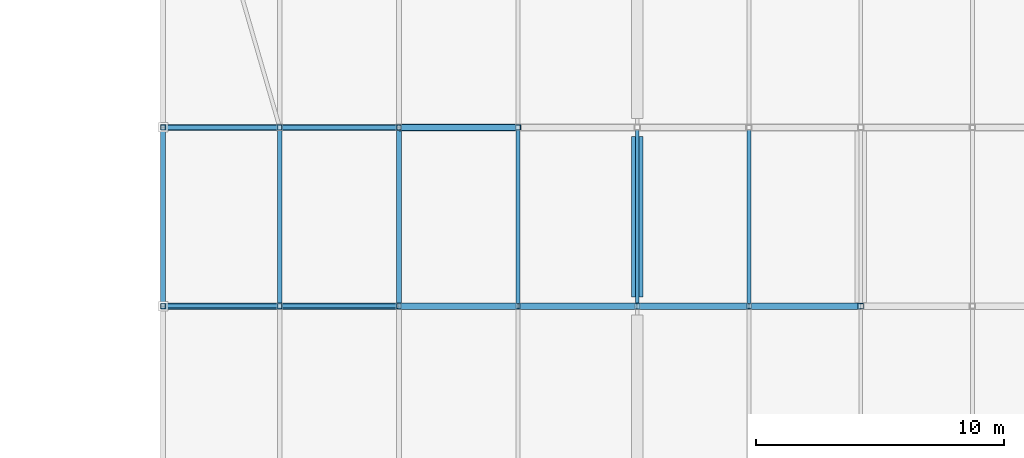
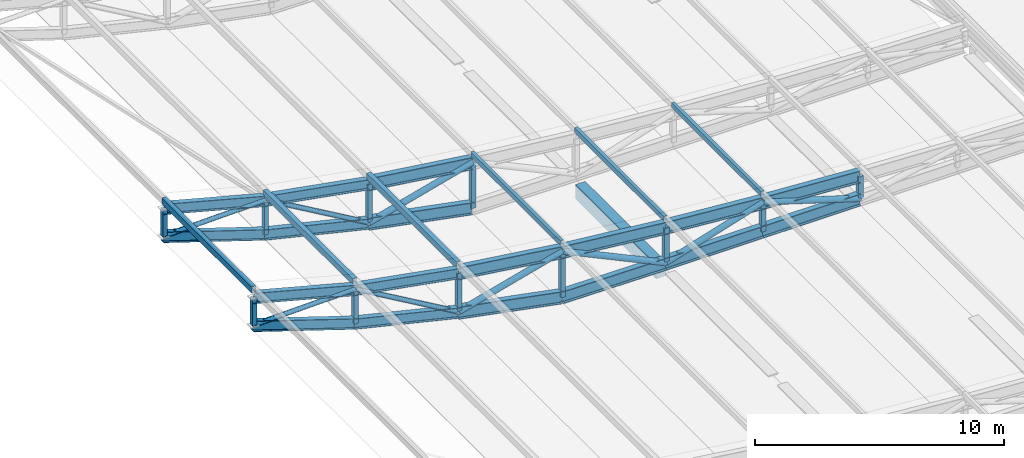
# One storey, part 51 of 114: 26 members, 19 beams.
"""IFC4 building model written with IfcOpenShell, lengths in metres."""

from ifc_helpers import new_model, si_unit, direction, frame, origin, origin_2d, place, context, subcontext, project, spatial, rectangle, hollow_rectangle, hollow_circle, i_section, extrude, material, material_profile, profile_set, type_object, element, save


model = new_model("IFC4")

# Units and contexts
model_context = context("Model", 3, precision=1e-05, world=origin(), true_north=direction((0.0, 1.0)))
body_context = subcontext(model_context, "Body", "Model", "MODEL_VIEW")
ifc_project = project(units=[si_unit("LENGTHUNIT", "METRE"), si_unit("AREAUNIT", "SQUARE_METRE"), si_unit("VOLUMEUNIT", "CUBIC_METRE"), si_unit("PLANEANGLEUNIT", "RADIAN"), si_unit("MASSUNIT", "GRAM", prefix="KILO"), si_unit("THERMODYNAMICTEMPERATUREUNIT", "KELVIN"), si_unit("POWERUNIT", "WATT")], contexts=[model_context])

# Site, building, storey
site_placement = place(None, origin())
site = spatial("IfcSite", under=ifc_project, at=site_placement, CompositionType="ELEMENT")
building_placement = place(site_placement, origin())
building = spatial("IfcBuilding", under=site, at=building_placement, Name="Sindhuravela Promenade Stadium", CompositionType="ELEMENT")
storey_placement = place(building_placement, frame((0.0, 0.0, 24.0)))
storey = spatial("IfcBuildingStorey", under=building, at=storey_placement, Name="L05", CompositionType="ELEMENT", Elevation=24.0)

# Beams
ifc_material_1 = material(Name="Concrete M40", Category="concrete")
ifc_material_profile_1 = material_profile(ifc_material_1, rectangle(XDim=0.449951171875, YDim=0.699951171875, at=origin_2d()), Name="RC 450x700")
ifc_profile_set_1 = profile_set([ifc_material_profile_1], Name="Concrete M40")
beam_type_1 = type_object("IfcBeamType", Name="RC-BM-450x700", PredefinedType="BEAM", material=ifc_profile_set_1)
beam_1_placement = place(storey_placement, frame((180.0, 61.56494140625, -0.594970703125), z_axis=(0.0, 1.0, 0.0), x_axis=(-1.0, 0.0, 0.0)))
element("IfcBeam", 1, at=beam_1_placement, inside=storey, type_object=beam_type_1, Name="Primary beam GB07 EAST L05", PredefinedType="BEAM", context=body_context, shape_type="SweptSolid", body=[
    extrude(rectangle(XDim=0.449951171875, YDim=0.699951171875, at=origin_2d()), origin(), (0.0, 0.0, 1.0), 6.469970703125),
])
ifc_material_2 = material(Name="Steel E350 (IS 2062 E350BR)", Category="steel")
ifc_material_profile_2 = material_profile(ifc_material_2, i_section(OverallWidth=0.25, OverallDepth=0.5, WebThickness=0.010009765625, FlangeThickness=0.0146484375, FilletRadius=0.014892578125, at=origin_2d()), Name="ISWB 500")
ifc_profile_set_2 = profile_set([ifc_material_profile_2], Name="Steel E350 (IS 2062 E350BR)")
beam_type_2 = type_object("IfcBeamType", Name="ST-BM-WB500", PredefinedType="USERDEFINED", material=ifc_profile_set_2)
beam_2_placement = place(storey_placement, frame((170.39990234375, 61.199951171875, 2.889892578125), z_axis=(-0.9842948598662152, 0.0, 0.17653223173388988), x_axis=(0.0, -1.0, 0.0)))
element("IfcBeam", 2, at=beam_2_placement, inside=storey, type_object=beam_type_2, Name="Roof truss RT-E03 top chord 7", ObjectType="ROOF TRUSS", PredefinedType="USERDEFINED", context=body_context, shape_type="SweptSolid", body=[
    extrude(i_section(OverallWidth=0.25, OverallDepth=0.5, WebThickness=0.010009765625, FlangeThickness=0.0146484375, FilletRadius=0.014892578125, at=origin_2d()), origin(), (0.0, 0.0, 1.0), 4.87646484375),
])
beam_3_placement = place(storey_placement, frame((170.39990234375, 61.199951171875, 0.955322265625), z_axis=(-0.9727610703429832, 0.0, 0.23181005160513105), x_axis=(0.0, -1.0, 0.0)))
element("IfcBeam", 3, at=beam_3_placement, inside=storey, type_object=beam_type_2, Name="Roof truss RT-E03 bottom chord 7", ObjectType="ROOF TRUSS", PredefinedType="USERDEFINED", context=body_context, shape_type="SweptSolid", body=[
    extrude(i_section(OverallWidth=0.25, OverallDepth=0.5, WebThickness=0.010009765625, FlangeThickness=0.0146484375, FilletRadius=0.014892578125, at=origin_2d()), origin(), (0.0, 0.0, 1.0), 4.934326171875),
])
beam_4_placement = place(storey_placement, frame((165.60009765625, 61.199951171875, 3.750732421875), z_axis=(-0.9664454134987205, 0.0, 0.2568720746349965), x_axis=(0.0, -1.0, 0.0)))
element("IfcBeam", 4, at=beam_4_placement, inside=storey, type_object=beam_type_2, Name="Roof truss RT-E03 top chord 8", ObjectType="ROOF TRUSS", PredefinedType="USERDEFINED", context=body_context, shape_type="SweptSolid", body=[
    extrude(i_section(OverallWidth=0.25, OverallDepth=0.5, WebThickness=0.010009765625, FlangeThickness=0.0146484375, FilletRadius=0.014892578125, at=origin_2d()), origin(), (0.0, 0.0, 1.0), 4.86328125),
])
beam_5_placement = place(storey_placement, frame((165.60009765625, 61.199951171875, 2.09912109375), z_axis=(-0.951134224020653, 0.0, 0.3087777321903741), x_axis=(0.0, -1.0, 0.0)))
element("IfcBeam", 5, at=beam_5_placement, inside=storey, type_object=beam_type_2, Name="Roof truss RT-E03 bottom chord 8", ObjectType="ROOF TRUSS", PredefinedType="USERDEFINED", context=body_context, shape_type="SweptSolid", body=[
    extrude(i_section(OverallWidth=0.25, OverallDepth=0.5, WebThickness=0.010009765625, FlangeThickness=0.0146484375, FilletRadius=0.014892578125, at=origin_2d()), origin(), (0.0, 0.0, 1.0), 4.941650390625),
])
beam_6_placement = place(storey_placement, frame((170.39990234375, 68.39990234375, 2.889892578125), z_axis=(-0.9842948598662152, 0.0, 0.17653223173388988), x_axis=(0.0, -1.0, 0.0)))
element("IfcBeam", 6, at=beam_6_placement, inside=storey, type_object=beam_type_2, Name="Roof truss RT-E04 top chord 7", ObjectType="ROOF TRUSS", PredefinedType="USERDEFINED", context=body_context, shape_type="SweptSolid", body=[
    extrude(i_section(OverallWidth=0.25, OverallDepth=0.5, WebThickness=0.010009765625, FlangeThickness=0.0146484375, FilletRadius=0.014892578125, at=origin_2d()), origin(), (0.0, 0.0, 1.0), 4.87646484375),
])
beam_7_placement = place(storey_placement, frame((170.39990234375, 68.39990234375, 0.955322265625), z_axis=(-0.9727610703429832, 0.0, 0.23181005160513105), x_axis=(0.0, -1.0, 0.0)))
element("IfcBeam", 7, at=beam_7_placement, inside=storey, type_object=beam_type_2, Name="Roof truss RT-E04 bottom chord 7", ObjectType="ROOF TRUSS", PredefinedType="USERDEFINED", context=body_context, shape_type="SweptSolid", body=[
    extrude(i_section(OverallWidth=0.25, OverallDepth=0.5, WebThickness=0.010009765625, FlangeThickness=0.0146484375, FilletRadius=0.014892578125, at=origin_2d()), origin(), (0.0, 0.0, 1.0), 4.934326171875),
])
beam_8_placement = place(storey_placement, frame((165.60009765625, 68.39990234375, 3.750732421875), z_axis=(-0.9664454134987205, 0.0, 0.2568720746349965), x_axis=(0.0, -1.0, 0.0)))
element("IfcBeam", 8, at=beam_8_placement, inside=storey, type_object=beam_type_2, Name="Roof truss RT-E04 top chord 8", ObjectType="ROOF TRUSS", PredefinedType="USERDEFINED", context=body_context, shape_type="SweptSolid", body=[
    extrude(i_section(OverallWidth=0.25, OverallDepth=0.5, WebThickness=0.010009765625, FlangeThickness=0.0146484375, FilletRadius=0.014892578125, at=origin_2d()), origin(), (0.0, 0.0, 1.0), 4.86328125),
])
beam_9_placement = place(storey_placement, frame((165.60009765625, 68.39990234375, 2.09912109375), z_axis=(-0.951134224020653, 0.0, 0.3087777321903741), x_axis=(0.0, -1.0, 0.0)))
element("IfcBeam", 9, at=beam_9_placement, inside=storey, type_object=beam_type_2, Name="Roof truss RT-E04 bottom chord 8", ObjectType="ROOF TRUSS", PredefinedType="USERDEFINED", context=body_context, shape_type="SweptSolid", body=[
    extrude(i_section(OverallWidth=0.25, OverallDepth=0.5, WebThickness=0.010009765625, FlangeThickness=0.0146484375, FilletRadius=0.014892578125, at=origin_2d()), origin(), (0.0, 0.0, 1.0), 4.941650390625),
])
ifc_material_profile_3 = material_profile(ifc_material_2, i_section(OverallWidth=0.25, OverallDepth=0.60009765625, WebThickness=0.01171875, FlangeThickness=0.023681640625, FilletRadius=0.01708984375, at=origin_2d()), Name="ISWB 600")
ifc_profile_set_3 = profile_set([ifc_material_profile_3], Name="Steel E350 (IS 2062 E350BR)")
beam_type_3 = type_object("IfcBeamType", Name="ST-BM-WB600", PredefinedType="USERDEFINED", material=ifc_profile_set_3)
beam_10_placement = place(storey_placement, frame((189.0, 61.199951171875, 1.12890625), z_axis=(-0.9981720622420935, 0.0, 0.06043619908106426), x_axis=(0.0, -1.0, 0.0)))
element("IfcBeam", 10, at=beam_10_placement, inside=storey, type_object=beam_type_3, Name="Roof truss RT-E03 top chord 3", ObjectType="ROOF TRUSS", PredefinedType="USERDEFINED", context=body_context, shape_type="SweptSolid", body=[
    extrude(i_section(OverallWidth=0.25, OverallDepth=0.60009765625, WebThickness=0.01171875, FlangeThickness=0.023681640625, FilletRadius=0.01708984375, at=origin_2d()), origin(), (0.0, 0.0, 1.0), 4.50830078125),
])
beam_11_placement = place(storey_placement, frame((189.0, 61.199951171875, 0.0), z_axis=(-1.0, 0.0, 0.0), x_axis=(0.0, -1.0, 0.0)))
element("IfcBeam", 11, at=beam_11_placement, inside=storey, type_object=beam_type_3, Name="Roof truss RT-E03 bottom chord 3", ObjectType="ROOF TRUSS", PredefinedType="USERDEFINED", context=body_context, shape_type="SweptSolid", body=[
    extrude(i_section(OverallWidth=0.25, OverallDepth=0.60009765625, WebThickness=0.01171875, FlangeThickness=0.023681640625, FilletRadius=0.01708984375, at=origin_2d()), origin(), (0.0, 0.0, 1.0), 4.5),
])
beam_12_placement = place(storey_placement, frame((184.5, 61.199951171875, 1.4013671875), z_axis=(-0.9968775679455489, 0.0, 0.07896274138457582), x_axis=(0.0, -1.0, 0.0)))
element("IfcBeam", 12, at=beam_12_placement, inside=storey, type_object=beam_type_3, Name="Roof truss RT-E03 top chord 4", ObjectType="ROOF TRUSS", PredefinedType="USERDEFINED", context=body_context, shape_type="SweptSolid", body=[
    extrude(i_section(OverallWidth=0.25, OverallDepth=0.60009765625, WebThickness=0.01171875, FlangeThickness=0.023681640625, FilletRadius=0.01708984375, at=origin_2d()), origin(), (0.0, 0.0, 1.0), 4.51416015625),
])
beam_13_placement = place(storey_placement, frame((184.5, 61.199951171875, 0.0), z_axis=(-1.0, 0.0, 0.0), x_axis=(0.0, -1.0, 0.0)))
element("IfcBeam", 13, at=beam_13_placement, inside=storey, type_object=beam_type_3, Name="Roof truss RT-E03 bottom chord 4", ObjectType="ROOF TRUSS", PredefinedType="USERDEFINED", context=body_context, shape_type="SweptSolid", body=[
    extrude(i_section(OverallWidth=0.25, OverallDepth=0.60009765625, WebThickness=0.01171875, FlangeThickness=0.023681640625, FilletRadius=0.01708984375, at=origin_2d()), origin(), (0.0, 0.0, 1.0), 4.5),
])
beam_14_placement = place(storey_placement, frame((180.0, 61.199951171875, 1.7578125), z_axis=(-0.9947943351162852, 0.0, 0.10190304617894301), x_axis=(0.0, -1.0, 0.0)))
element("IfcBeam", 14, at=beam_14_placement, inside=storey, type_object=beam_type_3, Name="Roof truss RT-E03 top chord 5", ObjectType="ROOF TRUSS", PredefinedType="USERDEFINED", context=body_context, shape_type="SweptSolid", body=[
    extrude(i_section(OverallWidth=0.25, OverallDepth=0.60009765625, WebThickness=0.01171875, FlangeThickness=0.023681640625, FilletRadius=0.01708984375, at=origin_2d()), origin(), (0.0, 0.0, 1.0), 4.8251953125),
])
beam_15_placement = place(storey_placement, frame((180.0, 61.199951171875, 0.0), z_axis=(-0.9999778033758007, 0.0, 0.006662788883690041), x_axis=(0.0, -1.0, 0.0)))
element("IfcBeam", 15, at=beam_15_placement, inside=storey, type_object=beam_type_3, Name="Roof truss RT-E03 bottom chord 5", ObjectType="ROOF TRUSS", PredefinedType="USERDEFINED", context=body_context, shape_type="SweptSolid", body=[
    extrude(i_section(OverallWidth=0.25, OverallDepth=0.60009765625, WebThickness=0.01171875, FlangeThickness=0.023681640625, FilletRadius=0.01708984375, at=origin_2d()), origin(), (0.0, 0.0, 1.0), 4.800048828125),
])
beam_16_placement = place(storey_placement, frame((175.199951171875, 61.199951171875, 2.24951171875), z_axis=(-0.9912177706556925, 0.0, 0.1322396730802035), x_axis=(0.0, -1.0, 0.0)))
element("IfcBeam", 16, at=beam_16_placement, inside=storey, type_object=beam_type_3, Name="Roof truss RT-E03 top chord 6", ObjectType="ROOF TRUSS", PredefinedType="USERDEFINED", context=body_context, shape_type="SweptSolid", body=[
    extrude(i_section(OverallWidth=0.25, OverallDepth=0.60009765625, WebThickness=0.01171875, FlangeThickness=0.023681640625, FilletRadius=0.01708984375, at=origin_2d()), origin(), (0.0, 0.0, 1.0), 4.842529296875),
])
beam_17_placement = place(storey_placement, frame((175.199951171875, 61.199951171875, 0.031982421875), z_axis=(-0.9819968269215247, 0.0, 0.18889741108881575), x_axis=(0.0, -1.0, 0.0)))
element("IfcBeam", 17, at=beam_17_placement, inside=storey, type_object=beam_type_3, Name="Roof truss RT-E03 bottom chord 6", ObjectType="ROOF TRUSS", PredefinedType="USERDEFINED", context=body_context, shape_type="SweptSolid", body=[
    extrude(i_section(OverallWidth=0.25, OverallDepth=0.60009765625, WebThickness=0.01171875, FlangeThickness=0.023681640625, FilletRadius=0.01708984375, at=origin_2d()), origin(), (0.0, 0.0, 1.0), 4.887939453125),
])
beam_18_placement = place(storey_placement, frame((175.199951171875, 68.39990234375, 2.24951171875), z_axis=(-0.9912177706556925, 0.0, 0.1322396730802035), x_axis=(0.0, -1.0, 0.0)))
element("IfcBeam", 18, at=beam_18_placement, inside=storey, type_object=beam_type_3, Name="Roof truss RT-E04 top chord 6", ObjectType="ROOF TRUSS", PredefinedType="USERDEFINED", context=body_context, shape_type="SweptSolid", body=[
    extrude(i_section(OverallWidth=0.25, OverallDepth=0.60009765625, WebThickness=0.01171875, FlangeThickness=0.023681640625, FilletRadius=0.01708984375, at=origin_2d()), origin(), (0.0, 0.0, 1.0), 4.842529296875),
])
beam_19_placement = place(storey_placement, frame((175.199951171875, 68.39990234375, 0.031982421875), z_axis=(-0.9819968269215247, 0.0, 0.18889741108881575), x_axis=(0.0, -1.0, 0.0)))
element("IfcBeam", 19, at=beam_19_placement, inside=storey, type_object=beam_type_3, Name="Roof truss RT-E04 bottom chord 6", ObjectType="ROOF TRUSS", PredefinedType="USERDEFINED", context=body_context, shape_type="SweptSolid", body=[
    extrude(i_section(OverallWidth=0.25, OverallDepth=0.60009765625, WebThickness=0.01171875, FlangeThickness=0.023681640625, FilletRadius=0.01708984375, at=origin_2d()), origin(), (0.0, 0.0, 1.0), 4.887939453125),
])

# Members
ifc_material_profile_4 = material_profile(ifc_material_2, hollow_circle(Radius=0.109619140625, WallThickness=0.010009765625, at=origin_2d()), Name="CHS 219.1x10")
ifc_profile_set_4 = profile_set([ifc_material_profile_4], Name="Steel E350 (IS 2062 E350BR)")
member_type_1 = type_object("IfcMemberType", Name="ST-MB-CHS219", PredefinedType="BRACE", material=ifc_profile_set_4)
member_1_placement = place(storey_placement, frame((170.39990234375, 61.199951171875, 0.955322265625), z_axis=(-0.8641294101630913, 0.0, 0.5032696717379143), x_axis=(0.0, -1.0, 0.0)))
element("IfcMember", 20, at=member_1_placement, inside=storey, type_object=member_type_1, Name="Roof truss RT-E03 diagonal web 7", PredefinedType="BRACE", context=body_context, shape_type="SweptSolid", body=[
    extrude(hollow_circle(Radius=0.109619140625, WallThickness=0.010009765625, at=origin_2d()), origin(), (0.0, 0.0, 1.0), 5.554443359375),
])
member_2_placement = place(storey_placement, frame((165.60009765625, 61.199951171875, 3.750732421875), z_axis=(-0.9996423981548164, 0.0, -0.02674090146736601), x_axis=(0.0, -1.0, 0.0)))
element("IfcMember", 21, at=member_2_placement, inside=storey, type_object=member_type_1, Name="Roof truss RT-E03 diagonal web 8", PredefinedType="BRACE", context=body_context, shape_type="SweptSolid", body=[
    extrude(hollow_circle(Radius=0.109619140625, WallThickness=0.010009765625, at=origin_2d()), origin(), (0.0, 0.0, 1.0), 4.701904296875),
])
member_3_placement = place(storey_placement, frame((170.39990234375, 68.39990234375, 0.955322265625), z_axis=(-0.8641294101630913, 0.0, 0.5032696717379143), x_axis=(0.0, -1.0, 0.0)))
element("IfcMember", 22, at=member_3_placement, inside=storey, type_object=member_type_1, Name="Roof truss RT-E04 diagonal web 7", PredefinedType="BRACE", context=body_context, shape_type="SweptSolid", body=[
    extrude(hollow_circle(Radius=0.109619140625, WallThickness=0.010009765625, at=origin_2d()), origin(), (0.0, 0.0, 1.0), 5.554443359375),
])
member_4_placement = place(storey_placement, frame((165.60009765625, 68.39990234375, 3.750732421875), z_axis=(-0.9996423981548164, 0.0, -0.02674090146736601), x_axis=(0.0, -1.0, 0.0)))
element("IfcMember", 23, at=member_4_placement, inside=storey, type_object=member_type_1, Name="Roof truss RT-E04 diagonal web 8", PredefinedType="BRACE", context=body_context, shape_type="SweptSolid", body=[
    extrude(hollow_circle(Radius=0.109619140625, WallThickness=0.010009765625, at=origin_2d()), origin(), (0.0, 0.0, 1.0), 4.701904296875),
])
ifc_material_profile_5 = material_profile(ifc_material_2, hollow_circle(Radius=0.136474609375, WallThickness=0.010009765625, at=origin_2d()), Name="CHS 273.0x10")
ifc_profile_set_5 = profile_set([ifc_material_profile_5], Name="Steel E350 (IS 2062 E350BR)")
member_type_2 = type_object("IfcMemberType", Name="ST-MB-CHS273", PredefinedType="BRACE", material=ifc_profile_set_5)
for number, where, z_axis, x_axis, name in (
    (24, (189.0, 61.199951171875, 0.0), (-0.9547744570376746, 0.0, 0.2973310212346057), (0.0, -1.0, 0.0), "Roof truss RT-E03 diagonal web 3"),
    (25, (184.5, 61.199951171875, 1.4013671875), (-0.9547744570376746, 0.0, -0.2973310212346057), (0.0, -1.0, 0.0), "Roof truss RT-E03 diagonal web 4"),
):
    element("IfcMember", number, at=place(storey_placement, frame(where, z_axis=z_axis, x_axis=x_axis)), inside=storey, type_object=member_type_2, Name=name, PredefinedType="BRACE", context=body_context, shape_type="SweptSolid", body=[
        extrude(hollow_circle(Radius=0.136474609375, WallThickness=0.010009765625, at=origin_2d()), origin(), (0.0, 0.0, 1.0), 4.713134765625),
    ])
member_5_placement = place(storey_placement, frame((180.0, 61.199951171875, 0.0), z_axis=(-0.9054959907272458, 0.0, 0.4243548170775059), x_axis=(0.0, -1.0, 0.0)))
element("IfcMember", 26, at=member_5_placement, inside=storey, type_object=member_type_2, Name="Roof truss RT-E03 diagonal web 5", PredefinedType="BRACE", context=body_context, shape_type="SweptSolid", body=[
    extrude(hollow_circle(Radius=0.136474609375, WallThickness=0.010009765625, at=origin_2d()), origin(), (0.0, 0.0, 1.0), 5.301025390625),
])
for number, where, z_axis, x_axis, name in (
    (27, (175.199951171875, 61.199951171875, 2.24951171875), (-0.9655213389510635, 0.0, -0.26032392135596294), (0.0, -1.0, 0.0), "Roof truss RT-E03 diagonal web 6"),
    (28, (175.199951171875, 68.39990234375, 2.24951171875), (-0.9655213389510635, 0.0, -0.26032392135596294), (0.0, -1.0, 0.0), "Roof truss RT-E04 diagonal web 6"),
):
    element("IfcMember", number, at=place(storey_placement, frame(where, z_axis=z_axis, x_axis=x_axis)), inside=storey, type_object=member_type_2, Name=name, PredefinedType="BRACE", context=body_context, shape_type="SweptSolid", body=[
        extrude(hollow_circle(Radius=0.136474609375, WallThickness=0.010009765625, at=origin_2d()), origin(), (0.0, 0.0, 1.0), 4.971435546875),
    ])
ifc_material_profile_6 = material_profile(ifc_material_2, hollow_rectangle(XDim=0.14990234375, YDim=0.25, WallThickness=0.010009765625, at=origin_2d()), Name="RHS 250x150x10")
ifc_profile_set_6 = profile_set([ifc_material_profile_6], Name="Steel E350 (IS 2062 E350BR)")
member_type_3 = type_object("IfcMemberType", Name="ST-MB-RHS250", PredefinedType="PURLIN", material=ifc_profile_set_6)
for number, where, z_axis, x_axis, name in (
    (29, (184.5, 61.199951171875, 1.79345703125), (0.0, 1.0, 0.0), (-1.0, 0.0, 0.0), "Roof purlin PR01 E bay 3.4"),
    (30, (180.0, 61.199951171875, 2.14990234375), (0.0, 1.0, 0.0), (-1.0, 0.0, 0.0), "Roof purlin PR01 E bay 3.5"),
    (31, (175.199951171875, 61.199951171875, 2.641357421875), (0.0, 1.0, 0.0), (-1.0, 0.0, 0.0), "Roof purlin PR01 E bay 3.6"),
):
    element("IfcMember", number, at=place(storey_placement, frame(where, z_axis=z_axis, x_axis=x_axis)), inside=storey, type_object=member_type_3, Name=name, PredefinedType="PURLIN", context=body_context, shape_type="SweptSolid", body=[
        extrude(hollow_rectangle(XDim=0.14990234375, YDim=0.25, WallThickness=0.010009765625, at=origin_2d()), origin(), (0.0, 0.0, 1.0), 7.199951171875),
    ])
ifc_material_profile_7 = material_profile(ifc_material_2, hollow_rectangle(XDim=0.199951171875, YDim=0.300048828125, WallThickness=0.010009765625, at=origin_2d()), Name="RHS 300x200x10")
ifc_profile_set_7 = profile_set([ifc_material_profile_7], Name="Steel E350 (IS 2062 E350BR)")
member_type_4 = type_object("IfcMemberType", Name="ST-MB-RHS300", PredefinedType="PURLIN", material=ifc_profile_set_7)
for number, where, z_axis, x_axis, name in (
    (32, (170.39990234375, 61.199951171875, 3.2568359375), (0.0, 1.0, 0.0), (-1.0, 0.0, 0.0), "Roof purlin PR02 E bay 3.7"),
    (33, (165.60009765625, 61.199951171875, 4.117919921875), (0.0, 1.0, 0.0), (-1.0, 0.0, 0.0), "Roof purlin PR02 E bay 3.8"),
    (34, (160.89990234375, 61.199951171875, 5.366943359375), (0.0, 1.0, 0.0), (-1.0, 0.0, 0.0), "Roof purlin PR02 E bay 3.9"),
):
    element("IfcMember", number, at=place(storey_placement, frame(where, z_axis=z_axis, x_axis=x_axis)), inside=storey, type_object=member_type_4, Name=name, PredefinedType="PURLIN", context=body_context, shape_type="SweptSolid", body=[
        extrude(hollow_rectangle(XDim=0.199951171875, YDim=0.300048828125, WallThickness=0.010009765625, at=origin_2d()), origin(), (0.0, 0.0, 1.0), 7.199951171875),
    ])
ifc_material_profile_8 = material_profile(ifc_material_2, hollow_rectangle(XDim=0.199951171875, YDim=0.199951171875, WallThickness=0.010009765625, at=origin_2d()), Name="SHS 200x200x10")
ifc_profile_set_8 = profile_set([ifc_material_profile_8], Name="Steel E350 (IS 2062 E350BR)")
member_type_5 = type_object("IfcMemberType", Name="ST-MB-SHS200", PredefinedType="POST", material=ifc_profile_set_8)
member_6_placement = place(storey_placement, frame((184.5, 61.199951171875, 0.0), z_axis=(0.0, 0.0, 1.0), x_axis=(1.0, 0.0, 0.0)))
element("IfcMember", 35, at=member_6_placement, inside=storey, type_object=member_type_5, Name="Roof truss RT-E03 vertical post 4", PredefinedType="POST", context=body_context, shape_type="SweptSolid", body=[
    extrude(hollow_rectangle(XDim=0.199951171875, YDim=0.199951171875, WallThickness=0.010009765625, at=origin_2d()), origin(), (0.0, 0.0, 1.0), 1.4013671875),
])
member_7_placement = place(storey_placement, frame((175.199951171875, 61.199951171875, 0.031982421875), z_axis=(0.0, 0.0, 1.0), x_axis=(1.0, 0.0, 0.0)))
element("IfcMember", 36, at=member_7_placement, inside=storey, type_object=member_type_5, Name="Roof truss RT-E03 vertical post 6", PredefinedType="POST", context=body_context, shape_type="SweptSolid", body=[
    extrude(hollow_rectangle(XDim=0.199951171875, YDim=0.199951171875, WallThickness=0.010009765625, at=origin_2d()), origin(), (0.0, 0.0, 1.0), 2.217529296875),
])
member_8_placement = place(storey_placement, frame((170.39990234375, 61.199951171875, 0.955322265625), z_axis=(0.0, 0.0, 1.0), x_axis=(1.0, 0.0, 0.0)))
element("IfcMember", 37, at=member_8_placement, inside=storey, type_object=member_type_5, Name="Roof truss RT-E03 vertical post 7", PredefinedType="POST", context=body_context, shape_type="SweptSolid", body=[
    extrude(hollow_rectangle(XDim=0.199951171875, YDim=0.199951171875, WallThickness=0.010009765625, at=origin_2d()), origin(), (0.0, 0.0, 1.0), 1.9345703125),
])
member_9_placement = place(storey_placement, frame((165.60009765625, 61.199951171875, 2.09912109375), z_axis=(0.0, 0.0, 1.0), x_axis=(1.0, 0.0, 0.0)))
element("IfcMember", 38, at=member_9_placement, inside=storey, type_object=member_type_5, Name="Roof truss RT-E03 vertical post 8", PredefinedType="POST", context=body_context, shape_type="SweptSolid", body=[
    extrude(hollow_rectangle(XDim=0.199951171875, YDim=0.199951171875, WallThickness=0.010009765625, at=origin_2d()), origin(), (0.0, 0.0, 1.0), 1.651611328125),
])
member_10_placement = place(storey_placement, frame((160.89990234375, 61.199951171875, 3.625), z_axis=(0.0, 0.0, 1.0), x_axis=(1.0, 0.0, 0.0)))
element("IfcMember", 39, at=member_10_placement, inside=storey, type_object=member_type_5, Name="Roof truss RT-E03 vertical post 9", PredefinedType="POST", context=body_context, shape_type="SweptSolid", body=[
    extrude(hollow_rectangle(XDim=0.199951171875, YDim=0.199951171875, WallThickness=0.010009765625, at=origin_2d()), origin(), (0.0, 0.0, 1.0), 1.375),
])
member_11_placement = place(storey_placement, frame((175.199951171875, 68.39990234375, 0.031982421875), z_axis=(0.0, 0.0, 1.0), x_axis=(1.0, 0.0, 0.0)))
element("IfcMember", 40, at=member_11_placement, inside=storey, type_object=member_type_5, Name="Roof truss RT-E04 vertical post 6", PredefinedType="POST", context=body_context, shape_type="SweptSolid", body=[
    extrude(hollow_rectangle(XDim=0.199951171875, YDim=0.199951171875, WallThickness=0.010009765625, at=origin_2d()), origin(), (0.0, 0.0, 1.0), 2.217529296875),
])
member_12_placement = place(storey_placement, frame((170.39990234375, 68.39990234375, 0.955322265625), z_axis=(0.0, 0.0, 1.0), x_axis=(1.0, 0.0, 0.0)))
element("IfcMember", 41, at=member_12_placement, inside=storey, type_object=member_type_5, Name="Roof truss RT-E04 vertical post 7", PredefinedType="POST", context=body_context, shape_type="SweptSolid", body=[
    extrude(hollow_rectangle(XDim=0.199951171875, YDim=0.199951171875, WallThickness=0.010009765625, at=origin_2d()), origin(), (0.0, 0.0, 1.0), 1.9345703125),
])
member_13_placement = place(storey_placement, frame((165.60009765625, 68.39990234375, 2.09912109375), z_axis=(0.0, 0.0, 1.0), x_axis=(1.0, 0.0, 0.0)))
element("IfcMember", 42, at=member_13_placement, inside=storey, type_object=member_type_5, Name="Roof truss RT-E04 vertical post 8", PredefinedType="POST", context=body_context, shape_type="SweptSolid", body=[
    extrude(hollow_rectangle(XDim=0.199951171875, YDim=0.199951171875, WallThickness=0.010009765625, at=origin_2d()), origin(), (0.0, 0.0, 1.0), 1.651611328125),
])
member_14_placement = place(storey_placement, frame((160.89990234375, 68.39990234375, 3.625), z_axis=(0.0, 0.0, 1.0), x_axis=(1.0, 0.0, 0.0)))
element("IfcMember", 43, at=member_14_placement, inside=storey, type_object=member_type_5, Name="Roof truss RT-E04 vertical post 9", PredefinedType="POST", context=body_context, shape_type="SweptSolid", body=[
    extrude(hollow_rectangle(XDim=0.199951171875, YDim=0.199951171875, WallThickness=0.010009765625, at=origin_2d()), origin(), (0.0, 0.0, 1.0), 1.375),
])
ifc_material_profile_9 = material_profile(ifc_material_2, hollow_rectangle(XDim=0.219970703125, YDim=0.219970703125, WallThickness=0.011962890625, at=origin_2d()), Name="SHS 220x220x12")
ifc_profile_set_9 = profile_set([ifc_material_profile_9], Name="Steel E350 (IS 2062 E350BR)")
member_type_6 = type_object("IfcMemberType", Name="ST-MB-SHS220", PredefinedType="POST", material=ifc_profile_set_9)
member_15_placement = place(storey_placement, frame((189.0, 61.199951171875, 0.0), z_axis=(0.0, 0.0, 1.0), x_axis=(1.0, 0.0, 0.0)))
element("IfcMember", 44, at=member_15_placement, inside=storey, type_object=member_type_6, Name="Roof truss RT-E03 vertical post 3", PredefinedType="POST", context=body_context, shape_type="SweptSolid", body=[
    extrude(hollow_rectangle(XDim=0.219970703125, YDim=0.219970703125, WallThickness=0.011962890625, at=origin_2d()), origin(), (0.0, 0.0, 1.0), 1.12890625),
])
member_16_placement = place(storey_placement, frame((180.0, 61.199951171875, 0.0), z_axis=(0.0, 0.0, 1.0), x_axis=(1.0, 0.0, 0.0)))
element("IfcMember", 45, at=member_16_placement, inside=storey, type_object=member_type_6, Name="Roof truss RT-E03 vertical post 5", PredefinedType="POST", context=body_context, shape_type="SweptSolid", body=[
    extrude(hollow_rectangle(XDim=0.219970703125, YDim=0.219970703125, WallThickness=0.011962890625, at=origin_2d()), origin(), (0.0, 0.0, 1.0), 1.7578125),
])

save(model, "model.ifc")
